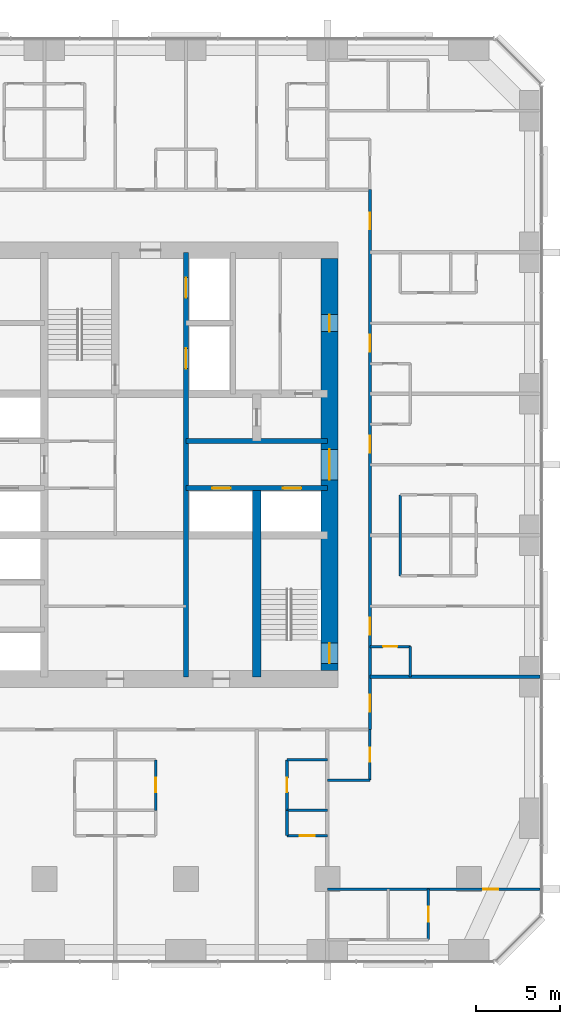
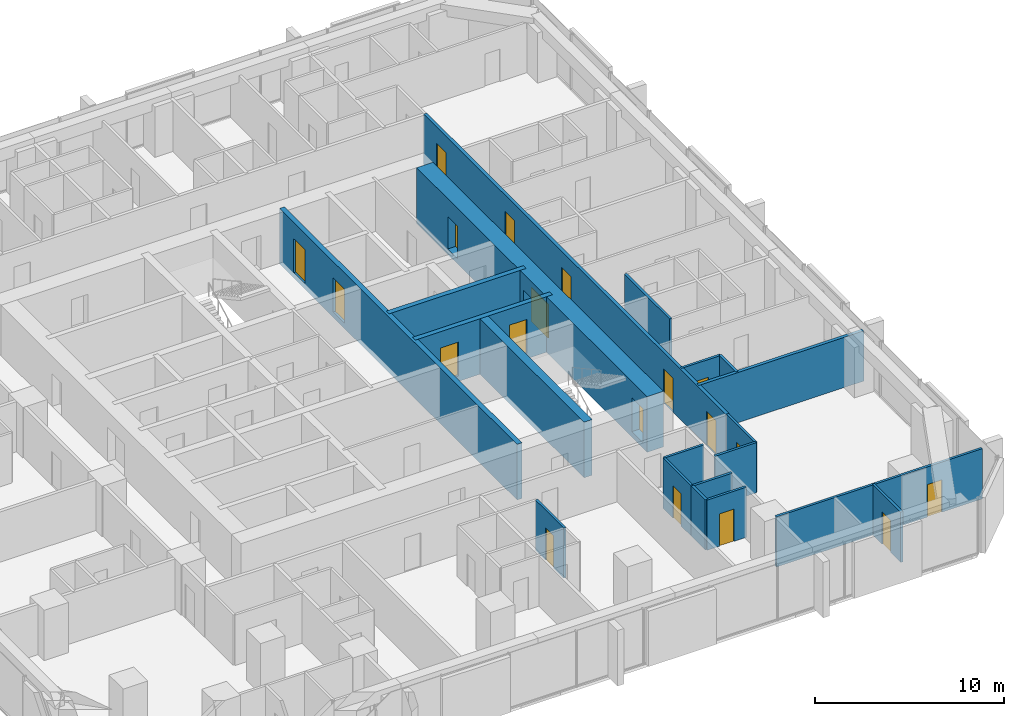
# One storey, part 10 of 14: 20 walls, 19 doors, 19 openings.
"""IFC4 building model written with IfcOpenShell, lengths in metres."""

from ifc_helpers import new_model, si_unit, direction, frame, frame_2d, origin, place, context, subcontext, project, spatial, rectangle, extrude, material, layer, layer_set, type_object, element, fill, save


model = new_model("IFC4")

# Units and contexts
model_context = context("Model", 3, precision=1e-05, world=origin(), true_north=direction((0.0, 1.0)))
body_context = subcontext(model_context, "Body", "Model", "MODEL_VIEW")
ifc_project = project(units=[si_unit("LENGTHUNIT", "METRE"), si_unit("AREAUNIT", "SQUARE_METRE"), si_unit("VOLUMEUNIT", "CUBIC_METRE"), si_unit("PLANEANGLEUNIT", "RADIAN"), si_unit("MASSUNIT", "GRAM", prefix="KILO")], contexts=[model_context])

# Site, building, storey
site_placement = place(None, origin())
site = spatial("IfcSite", under=ifc_project, at=site_placement, CompositionType="ELEMENT")
building_placement = place(site_placement, origin())
building = spatial("IfcBuilding", under=site, at=building_placement, Name="Dunama Terrace Hotel", CompositionType="ELEMENT")
storey_placement = place(building_placement, frame((0.0, 0.0, 122.39990234375)))
storey = spatial("IfcBuildingStorey", under=building, at=storey_placement, Name="L31", CompositionType="ELEMENT", Elevation=122.39990234375)

# Wall, opening, door
ifc_material_1 = material(Name="Gypsum board partition", Category="masonry")
ifc_layer_1 = layer(ifc_material_1, 0.14990234375)
ifc_layer_set_1 = layer_set([ifc_layer_1], Name="Bathroom partition 150")
wall_type_1 = type_object("IfcWallType", Name="Bathroom partition 150", PredefinedType="PARTITIONING", material=ifc_layer_set_1)
wall_1_placement = place(storey_placement, frame((31.800048828125, 8.875, 0.0), z_axis=(0.0, 0.0, 1.0), x_axis=(0.0, 1.0, 0.0)))
wall_1 = element("IfcWall", 1, at=wall_1_placement, inside=storey, type_object=wall_type_1, Name="Bathroom partition 150 L31", PredefinedType="PARTITIONING", context=body_context, shape_type="SweptSolid", body=[
    extrude(rectangle(XDim=3.0, YDim=0.14990234375, at=frame_2d((1.5, 0.0))), origin(), (0.0, 0.0, 1.0), 3.25),
])
opening_1_placement = place(wall_1_placement, frame((1.074951171875, 0.0, 0.0)))
opening_1 = element("IfcOpeningElement", 2, at=opening_1_placement, cuts=wall_1, Name="Opening L31-33-018", PredefinedType="OPENING", context=body_context, shape_type="SweptSolid", body=[
    extrude(rectangle(XDim=0.85009765625, YDim=2.10009765625, at=frame_2d((0.425048828125, 1.050048828125))), frame((0.0, 0.0849609375, 0.0), z_axis=(0.0, -1.0, 0.0), x_axis=(1.0, 0.0, 0.0)), (0.0, 0.0, 1.0), 0.169921875),
])
ifc_material_2 = material(Name="Timber door with steel frame", Category="steel")
door_type_1 = type_object("IfcDoorType", Name="Bathroom door 850", OperationType="SINGLE_SWING_LEFT", PredefinedType="DOOR", material=ifc_material_2)
door_1_placement = place(opening_1_placement, origin())
door_1 = element("IfcDoor", 3, at=door_1_placement, inside=storey, type_object=door_type_1, Name="Door to en-suite bathroom L31-33-018, type D2", OperationType="SINGLE_SWING_LEFT", OverallHeight=2.10009765625, OverallWidth=0.85009765625, PredefinedType="DOOR", context=body_context, shape_type="SweptSolid", body=[
    extrude(rectangle(XDim=0.85009765625, YDim=2.10009765625, at=frame_2d((0.425048828125, 1.050048828125))), frame((0.0, 0.02490234375, 0.0), z_axis=(0.0, -1.0, 0.0), x_axis=(1.0, 0.0, 0.0)), (0.0, 0.0, 1.0), 0.050048828125),
])
fill(opening_1, door_1)

wall_2_placement = place(storey_placement, frame((39.60009765625, 8.875, 0.0), z_axis=(0.0, 0.0, 1.0), x_axis=(0.0, 1.0, 0.0)))
wall_2 = element("IfcWall", 4, at=wall_2_placement, inside=storey, type_object=wall_type_1, Name="Bathroom partition 150 L31", PredefinedType="PARTITIONING", context=body_context, shape_type="SweptSolid", body=[
    extrude(rectangle(XDim=3.0, YDim=0.14990234375, at=frame_2d((1.5, 0.0))), origin(), (0.0, 0.0, 1.0), 3.25),
])
opening_2_placement = place(wall_2_placement, frame((1.074951171875, 0.0, 0.0)))
opening_2 = element("IfcOpeningElement", 5, at=opening_2_placement, cuts=wall_2, Name="Opening L31-33-021", PredefinedType="OPENING", context=body_context, shape_type="SweptSolid", body=[
    extrude(rectangle(XDim=0.85009765625, YDim=2.10009765625, at=frame_2d((0.425048828125, 1.050048828125))), frame((0.0, 0.0849609375, 0.0), z_axis=(0.0, -1.0, 0.0), x_axis=(1.0, 0.0, 0.0)), (0.0, 0.0, 1.0), 0.169921875),
])
door_2_placement = place(opening_2_placement, frame((0.85009765625, 0.0, 0.0), z_axis=(0.0, 0.0, 1.0), x_axis=(-1.0, 0.0, 0.0)))
door_2 = element("IfcDoor", 6, at=door_2_placement, inside=storey, type_object=door_type_1, Name="Door to en-suite bathroom L31-33-021, type D2", OperationType="SINGLE_SWING_RIGHT", OverallHeight=2.10009765625, OverallWidth=0.85009765625, PredefinedType="DOOR", context=body_context, shape_type="SweptSolid", body=[
    extrude(rectangle(XDim=0.85009765625, YDim=2.10009765625, at=frame_2d((0.425048828125, 1.050048828125))), frame((0.0, 0.025146484375, 0.0), z_axis=(0.0, -1.0, 0.0), x_axis=(1.0, 0.0, 0.0)), (0.0, 0.0, 1.0), 0.050048828125),
])
fill(opening_2, door_2)

wall_3_placement = place(storey_placement, frame((44.52490234375, 10.675048828125, 0.0), z_axis=(0.0, 0.0, 1.0), x_axis=(0.0, 1.0, 0.0)))
wall_3 = element("IfcWall", 7, at=wall_3_placement, inside=storey, type_object=wall_type_1, Name="Bathroom partition 150 L31", PredefinedType="PARTITIONING", context=body_context, shape_type="SweptSolid", body=[
    extrude(rectangle(XDim=3.0, YDim=0.14990234375, at=frame_2d((1.5, 0.0))), origin(), (0.0, 0.0, 1.0), 3.25),
])
opening_3_placement = place(wall_3_placement, frame((1.074951171875, 0.0, 0.0)))
opening_3 = element("IfcOpeningElement", 8, at=opening_3_placement, cuts=wall_3, Name="Opening L31-33-068", PredefinedType="OPENING", context=body_context, shape_type="SweptSolid", body=[
    extrude(rectangle(XDim=0.85009765625, YDim=2.10009765625, at=frame_2d((0.425048828125, 1.050048828125))), frame((0.0, 0.0849609375, 0.0), z_axis=(0.0, -1.0, 0.0), x_axis=(1.0, 0.0, 0.0)), (0.0, 0.0, 1.0), 0.169921875),
])
door_3_placement = place(opening_3_placement, origin())
door_3 = element("IfcDoor", 9, at=door_3_placement, inside=storey, type_object=door_type_1, Name="Door to powder room L31-33-068, type D2", OperationType="SINGLE_SWING_RIGHT", OverallHeight=2.10009765625, OverallWidth=0.85009765625, PredefinedType="DOOR", context=body_context, shape_type="SweptSolid", body=[
    extrude(rectangle(XDim=0.85009765625, YDim=2.10009765625, at=frame_2d((0.425048828125, 1.050048828125))), frame((0.0, 0.02490234375, 0.0), z_axis=(0.0, -1.0, 0.0), x_axis=(1.0, 0.0, 0.0)), (0.0, 0.0, 1.0), 0.050048828125),
])
fill(opening_3, door_3)

# Walls
wall_4_placement = place(storey_placement, frame((46.324951171875, 22.800048828125, 0.0), z_axis=(0.0, 0.0, 1.0), x_axis=(0.0, 1.0, 0.0)))
element("IfcWall", 10, at=wall_4_placement, inside=storey, type_object=wall_type_1, Name="Bathroom partition 150 L31", PredefinedType="PARTITIONING", context=body_context, shape_type="SweptSolid", body=[
    extrude(rectangle(XDim=4.800048828125, YDim=0.14990234375, at=frame_2d((2.39990234375, 0.0))), origin(), (0.0, 0.0, 1.0), 3.25),
])
wall_5_placement = place(storey_placement, frame((46.925048828125, 16.800048828125, 0.0), z_axis=(0.0, 0.0, 1.0), x_axis=(0.0, 1.0, 0.0)))
element("IfcWall", 11, at=wall_5_placement, inside=storey, type_object=wall_type_1, Name="Bathroom partition 150 L31", PredefinedType="PARTITIONING", context=body_context, shape_type="SweptSolid", body=[
    extrude(rectangle(XDim=1.800048828125, YDim=0.14990234375, at=frame_2d((0.89990234375, 0.0))), origin(), (0.0, 0.0, 1.0), 3.25),
])
wall_6_placement = place(storey_placement, frame((42.0, 10.675048828125, 0.0), z_axis=(0.0, 0.0, 1.0), x_axis=(1.0, 0.0, 0.0)))
element("IfcWall", 12, at=wall_6_placement, inside=storey, type_object=wall_type_1, Name="Bathroom partition 150 L31", PredefinedType="PARTITIONING", context=body_context, shape_type="SweptSolid", body=[
    extrude(rectangle(XDim=2.52490234375, YDim=0.14990234375, at=frame_2d((1.262451171875, 0.0))), origin(), (0.0, 0.0, 1.0), 3.25),
])
wall_7_placement = place(storey_placement, frame((39.60009765625, 11.875, 0.0), z_axis=(0.0, 0.0, 1.0), x_axis=(1.0, 0.0, 0.0)))
element("IfcWall", 13, at=wall_7_placement, inside=storey, type_object=wall_type_1, Name="Bathroom partition 150 L31", PredefinedType="PARTITIONING", context=body_context, shape_type="SweptSolid", body=[
    extrude(rectangle(XDim=2.39990234375, YDim=0.14990234375, at=frame_2d((1.199951171875, 0.0))), origin(), (0.0, 0.0, 1.0), 3.25),
])

# Wall, opening, door
wall_8_placement = place(storey_placement, frame((44.52490234375, 18.60009765625, 0.0), z_axis=(0.0, 0.0, 1.0), x_axis=(1.0, 0.0, 0.0)))
wall_8 = element("IfcWall", 14, at=wall_8_placement, inside=storey, type_object=wall_type_1, Name="Bathroom partition 150 L31", PredefinedType="PARTITIONING", context=body_context, shape_type="SweptSolid", body=[
    extrude(rectangle(XDim=2.400146484375, YDim=0.14990234375, at=frame_2d((1.2001953125, 0.0))), origin(), (0.0, 0.0, 1.0), 3.25),
])
opening_4_placement = place(wall_8_placement, frame((0.77490234375, 0.0, 0.0)))
opening_4 = element("IfcOpeningElement", 15, at=opening_4_placement, cuts=wall_8, Name="Opening L31-33-024", PredefinedType="OPENING", context=body_context, shape_type="SweptSolid", body=[
    extrude(rectangle(XDim=0.85009765625, YDim=2.10009765625, at=frame_2d((0.425048828125, 1.050048828125))), frame((0.0, 0.0849609375, 0.0), z_axis=(0.0, -1.0, 0.0), x_axis=(1.0, 0.0, 0.0)), (0.0, 0.0, 1.0), 0.169921875),
])
door_4_placement = place(opening_4_placement, frame((0.85009765625, 0.0, 0.0), z_axis=(0.0, 0.0, 1.0), x_axis=(-1.0, 0.0, 0.0)))
door_4 = element("IfcDoor", 16, at=door_4_placement, inside=storey, type_object=door_type_1, Name="Door to powder room L31-33-024, type D2", OperationType="SINGLE_SWING_RIGHT", OverallHeight=2.10009765625, OverallWidth=0.85009765625, PredefinedType="DOOR", context=body_context, shape_type="SweptSolid", body=[
    extrude(rectangle(XDim=0.85009765625, YDim=2.10009765625, at=frame_2d((0.425048828125, 1.050048828125))), frame((0.0, 0.025146484375, 0.0), z_axis=(0.0, -1.0, 0.0), x_axis=(1.0, 0.0, 0.0)), (0.0, 0.0, 1.0), 0.050048828125),
])
fill(opening_4, door_4)

# Wall, openings, doors
ifc_material_3 = material(Name="Concrete C50/60", Category="concrete")
ifc_layer_2 = layer(ifc_material_3, 0.300048828125)
ifc_layer_set_2 = layer_set([ifc_layer_2], Name="Core inner wall 300")
wall_type_2 = type_object("IfcWallType", Name="Core inner wall 300", PredefinedType="SHEAR", material=ifc_layer_set_2)
wall_9_placement = place(storey_placement, frame((33.60009765625, 16.800048828125, -0.349853515625), z_axis=(0.0, 0.0, 1.0), x_axis=(0.0, 1.0, 0.0)))
wall_9 = element("IfcWall", 17, at=wall_9_placement, inside=storey, type_object=wall_type_2, Name="Core inner wall 300 L31", PredefinedType="SHEAR", context=body_context, shape_type="SweptSolid", body=[
    extrude(rectangle(XDim=25.199951171875, YDim=0.300048828125, at=frame_2d((12.60009765625, 0.0))), origin(), (0.0, 0.0, 1.0), 3.599853515625),
])
opening_5_placement = place(wall_9_placement, frame((22.5, 0.0, 0.35009765625)))
opening_5 = element("IfcOpeningElement", 18, at=opening_5_placement, cuts=wall_9, Name="Opening L31-33-009", PredefinedType="OPENING", context=body_context, shape_type="SweptSolid", body=[
    extrude(rectangle(XDim=1.199951171875, YDim=2.199951171875, at=frame_2d((0.60009765625, 1.10009765625))), frame((0.0, 0.159912109375, 0.0), z_axis=(0.0, -1.0, 0.0), x_axis=(1.0, 0.0, 0.0)), (0.0, 0.0, 1.0), 0.320068359375),
])
opening_6_placement = place(wall_9_placement, frame((18.300048828125, 0.0, 0.35009765625)))
opening_6 = element("IfcOpeningElement", 19, at=opening_6_placement, cuts=wall_9, Name="Opening L31-33-010", PredefinedType="OPENING", context=body_context, shape_type="SweptSolid", body=[
    extrude(rectangle(XDim=1.199951171875, YDim=2.199951171875, at=frame_2d((0.60009765625, 1.10009765625))), frame((0.0, 0.159912109375, 0.0), z_axis=(0.0, -1.0, 0.0), x_axis=(1.0, 0.0, 0.0)), (0.0, 0.0, 1.0), 0.320068359375),
])
ifc_material_4 = material(Name="Stainless steel lift door", Category="steel")
door_type_2 = type_object("IfcDoorType", Name="Firefighting lift landing door 1200", OperationType="DOUBLE_DOOR_SLIDING", PredefinedType="DOOR", material=ifc_material_4)
door_5_placement = place(opening_5_placement, origin())
door_5 = element("IfcDoor", 20, at=door_5_placement, inside=storey, type_object=door_type_2, Name="Landing door FL1 L31-33-009, type LD2", OperationType="DOUBLE_DOOR_SLIDING", OverallHeight=2.199951171875, OverallWidth=1.199951171875, PredefinedType="DOOR", context=body_context, shape_type="SweptSolid", body=[
    extrude(rectangle(XDim=1.199951171875, YDim=2.199951171875, at=frame_2d((0.60009765625, 1.10009765625))), frame((0.0, 0.02490234375, 0.0), z_axis=(0.0, -1.0, 0.0), x_axis=(1.0, 0.0, 0.0)), (0.0, 0.0, 1.0), 0.050048828125),
])
fill(opening_5, door_5)
door_6_placement = place(opening_6_placement, origin())
door_6 = element("IfcDoor", 21, at=door_6_placement, inside=storey, type_object=door_type_2, Name="Landing door FL2 L31-33-010, type LD2", OperationType="DOUBLE_DOOR_SLIDING", OverallHeight=2.199951171875, OverallWidth=1.199951171875, PredefinedType="DOOR", context=body_context, shape_type="SweptSolid", body=[
    extrude(rectangle(XDim=1.199951171875, YDim=2.199951171875, at=frame_2d((0.60009765625, 1.10009765625))), frame((0.0, 0.02490234375, 0.0), z_axis=(0.0, -1.0, 0.0), x_axis=(1.0, 0.0, 0.0)), (0.0, 0.0, 1.0), 0.050048828125),
])
fill(opening_6, door_6)

wall_10_placement = place(storey_placement, frame((33.60009765625, 28.0, -0.349853515625), z_axis=(0.0, 0.0, 1.0), x_axis=(1.0, 0.0, 0.0)))
wall_10 = element("IfcWall", 22, at=wall_10_placement, inside=storey, type_object=wall_type_2, Name="Core inner wall 300 L31", PredefinedType="SHEAR", context=body_context, shape_type="SweptSolid", body=[
    extrude(rectangle(XDim=8.39990234375, YDim=0.300048828125, at=frame_2d((4.199951171875, 0.0))), origin(), (0.0, 0.0, 1.0), 3.599853515625),
])
opening_7_placement = place(wall_10_placement, frame((1.550048828125, 0.0, 0.35009765625)))
opening_7 = element("IfcOpeningElement", 23, at=opening_7_placement, cuts=wall_10, Name="Opening L31-33-003", PredefinedType="OPENING", context=body_context, shape_type="SweptSolid", body=[
    extrude(rectangle(XDim=1.10009765625, YDim=2.199951171875, at=frame_2d((0.550048828125, 1.10009765625))), frame((0.0, 0.159912109375, 0.0), z_axis=(0.0, -1.0, 0.0), x_axis=(1.0, 0.0, 0.0)), (0.0, 0.0, 1.0), 0.320068359375),
])
opening_8_placement = place(wall_10_placement, frame((5.75, 0.0, 0.35009765625)))
opening_8 = element("IfcOpeningElement", 24, at=opening_8_placement, cuts=wall_10, Name="Opening L31-33-004", PredefinedType="OPENING", context=body_context, shape_type="SweptSolid", body=[
    extrude(rectangle(XDim=1.10009765625, YDim=2.199951171875, at=frame_2d((0.550048828125, 1.10009765625))), frame((0.0, 0.159912109375, 0.0), z_axis=(0.0, -1.0, 0.0), x_axis=(1.0, 0.0, 0.0)), (0.0, 0.0, 1.0), 0.320068359375),
])
ifc_material_5 = material(Name="Stainless steel lift door", Category="steel")
door_type_3 = type_object("IfcDoorType", Name="Lift landing door 1100", OperationType="DOUBLE_DOOR_SLIDING", PredefinedType="DOOR", material=ifc_material_5)
door_7_placement = place(opening_7_placement, origin())
door_7 = element("IfcDoor", 25, at=door_7_placement, inside=storey, type_object=door_type_3, Name="Landing door PB1 L31-33-003, type LD1", OperationType="DOUBLE_DOOR_SLIDING", OverallHeight=2.199951171875, OverallWidth=1.10009765625, PredefinedType="DOOR", context=body_context, shape_type="SweptSolid", body=[
    extrude(rectangle(XDim=1.10009765625, YDim=2.199951171875, at=frame_2d((0.550048828125, 1.10009765625))), frame((0.0, 0.02490234375, 0.0), z_axis=(0.0, -1.0, 0.0), x_axis=(1.0, 0.0, 0.0)), (0.0, 0.0, 1.0), 0.050048828125),
])
fill(opening_7, door_7)
door_8_placement = place(opening_8_placement, origin())
door_8 = element("IfcDoor", 26, at=door_8_placement, inside=storey, type_object=door_type_3, Name="Landing door PB2 L31-33-004, type LD1", OperationType="DOUBLE_DOOR_SLIDING", OverallHeight=2.199951171875, OverallWidth=1.10009765625, PredefinedType="DOOR", context=body_context, shape_type="SweptSolid", body=[
    extrude(rectangle(XDim=1.10009765625, YDim=2.199951171875, at=frame_2d((0.550048828125, 1.10009765625))), frame((0.0, 0.02490234375, 0.0), z_axis=(0.0, -1.0, 0.0), x_axis=(1.0, 0.0, 0.0)), (0.0, 0.0, 1.0), 0.050048828125),
])
fill(opening_8, door_8)

# Walls
wall_11_placement = place(storey_placement, frame((33.60009765625, 30.800048828125, -0.349853515625), z_axis=(0.0, 0.0, 1.0), x_axis=(1.0, 0.0, 0.0)))
element("IfcWall", 27, at=wall_11_placement, inside=storey, type_object=wall_type_2, Name="Core inner wall 300 L31", PredefinedType="SHEAR", context=body_context, shape_type="SweptSolid", body=[
    extrude(rectangle(XDim=8.39990234375, YDim=0.300048828125, at=frame_2d((4.199951171875, 0.0))), origin(), (0.0, 0.0, 1.0), 3.599853515625),
])
ifc_material_6 = material(Name="Concrete C50/60", Category="concrete")
ifc_layer_3 = layer(ifc_material_6, 0.5)
ifc_layer_set_3 = layer_set([ifc_layer_3], Name="Core inner wall 500")
wall_type_3 = type_object("IfcWallType", Name="Core inner wall 500", PredefinedType="SHEAR", material=ifc_layer_set_3)
wall_12_placement = place(storey_placement, frame((37.800048828125, 16.800048828125, -0.349853515625), z_axis=(0.0, 0.0, 1.0), x_axis=(0.0, 1.0, 0.0)))
element("IfcWall", 28, at=wall_12_placement, inside=storey, type_object=wall_type_3, Name="Core inner wall 500 L31", PredefinedType="SHEAR", context=body_context, shape_type="SweptSolid", body=[
    extrude(rectangle(XDim=11.199951171875, YDim=0.5, at=frame_2d((5.60009765625, 0.0))), origin(), (0.0, 0.0, 1.0), 3.599853515625),
])

# Wall, openings, doors
ifc_material_7 = material(Name="Concrete C60/75", Category="concrete")
ifc_layer_4 = layer(ifc_material_7, 1.0)
ifc_layer_set_4 = layer_set([ifc_layer_4], Name="Core wall 1000")
wall_type_4 = type_object("IfcWallType", Name="Core wall 1000", PredefinedType="SHEAR", material=ifc_layer_set_4)
wall_13_placement = place(storey_placement, frame((42.125, 17.175048828125, -0.349853515625), z_axis=(0.0, 0.0, 1.0), x_axis=(0.0, 1.0, 0.0)))
wall_13 = element("IfcWall", 29, at=wall_13_placement, inside=storey, type_object=wall_type_4, Name="Core wall east L31", PredefinedType="SHEAR", context=body_context, shape_type="SweptSolid", body=[
    extrude(rectangle(XDim=24.449951171875, YDim=1.0, at=frame_2d((12.22509765625, 0.0))), origin(), (0.0, 0.0, 1.0), 3.599853515625),
])
opening_9_placement = place(wall_13_placement, frame((0.425048828125, 0.0, 0.35009765625)))
opening_9 = element("IfcOpeningElement", 30, at=opening_9_placement, cuts=wall_13, Name="Opening L31-33-002", PredefinedType="OPENING", context=body_context, shape_type="SweptSolid", body=[
    extrude(rectangle(XDim=1.199951171875, YDim=2.199951171875, at=frame_2d((0.60009765625, 1.10009765625))), frame((0.0, 0.510009765625, 0.0), z_axis=(0.0, -1.0, 0.0), x_axis=(1.0, 0.0, 0.0)), (0.0, 0.0, 1.0), 1.02001953125),
])
opening_10_placement = place(wall_13_placement, frame((11.324951171875, 0.0, 0.35009765625)))
opening_10 = element("IfcOpeningElement", 31, at=opening_10_placement, cuts=wall_13, Name="Opening L31-33-092", PredefinedType="OPENING", context=body_context, shape_type="SweptSolid", body=[
    extrude(rectangle(XDim=1.800048828125, YDim=2.199951171875, at=frame_2d((0.89990234375, 1.10009765625))), frame((0.0, 0.510009765625, 0.0), z_axis=(0.0, -1.0, 0.0), x_axis=(1.0, 0.0, 0.0)), (0.0, 0.0, 1.0), 1.02001953125),
])
opening_11_placement = place(wall_13_placement, frame((20.125, 0.0, 0.35009765625)))
opening_11 = element("IfcOpeningElement", 32, at=opening_11_placement, cuts=wall_13, Name="Opening L31-33-094", PredefinedType="OPENING", context=body_context, shape_type="SweptSolid", body=[
    extrude(rectangle(XDim=1.0, YDim=2.10009765625, at=frame_2d((0.5, 1.050048828125))), frame((0.0, 0.510009765625, 0.0), z_axis=(0.0, -1.0, 0.0), x_axis=(1.0, 0.0, 0.0)), (0.0, 0.0, 1.0), 1.02001953125),
])
ifc_material_8 = material(Name="Timber door with steel frame", Category="steel")
door_type_4 = type_object("IfcDoorType", Name="Lift lobby double door 1800", OperationType="DOUBLE_DOOR_DOUBLE_SWING", PredefinedType="DOOR", material=ifc_material_8)
door_9_placement = place(opening_10_placement, origin())
door_9 = element("IfcDoor", 33, at=door_9_placement, inside=storey, type_object=door_type_4, Name="Door to lift lobby L31-33-092, type D3", OperationType="DOUBLE_DOOR_DOUBLE_SWING", OverallHeight=2.199951171875, OverallWidth=1.800048828125, PredefinedType="DOOR", context=body_context, shape_type="SweptSolid", body=[
    extrude(rectangle(XDim=1.800048828125, YDim=2.199951171875, at=frame_2d((0.89990234375, 1.10009765625))), frame((0.0, 0.02490234375, 0.0), z_axis=(0.0, -1.0, 0.0), x_axis=(1.0, 0.0, 0.0)), (0.0, 0.0, 1.0), 0.050048828125),
])
fill(opening_10, door_9)
ifc_material_9 = material(Name="Timber door with steel frame", Category="steel")
door_type_5 = type_object("IfcDoorType", Name="Service door 1000", OperationType="SINGLE_SWING_LEFT", PredefinedType="DOOR", material=ifc_material_9)
door_10_placement = place(opening_11_placement, origin())
door_10 = element("IfcDoor", 34, at=door_10_placement, inside=storey, type_object=door_type_5, Name="Door to linen store L31-33-094, type D7", OperationType="SINGLE_SWING_LEFT", OverallHeight=2.10009765625, OverallWidth=1.0, PredefinedType="DOOR", context=body_context, shape_type="SweptSolid", body=[
    extrude(rectangle(XDim=1.0, YDim=2.10009765625, at=frame_2d((0.5, 1.050048828125))), frame((0.0, 0.02490234375, 0.0), z_axis=(0.0, -1.0, 0.0), x_axis=(1.0, 0.0, 0.0)), (0.0, 0.0, 1.0), 0.050048828125),
])
fill(opening_11, door_10)
ifc_material_10 = material(Name="Timber door with steel frame", Category="steel")
door_type_6 = type_object("IfcDoorType", Name="Stair door 1200", OperationType="SINGLE_SWING_LEFT", PredefinedType="DOOR", material=ifc_material_10)
door_11_placement = place(opening_9_placement, origin())
door_11 = element("IfcDoor", 35, at=door_11_placement, inside=storey, type_object=door_type_6, Name="Stair door ST2 L31-33-002, type D5", OperationType="SINGLE_SWING_LEFT", OverallHeight=2.199951171875, OverallWidth=1.199951171875, PredefinedType="DOOR", context=body_context, shape_type="SweptSolid", body=[
    extrude(rectangle(XDim=1.199951171875, YDim=2.199951171875, at=frame_2d((0.60009765625, 1.10009765625))), frame((0.0, 0.02490234375, 0.0), z_axis=(0.0, -1.0, 0.0), x_axis=(1.0, 0.0, 0.0)), (0.0, 0.0, 1.0), 0.050048828125),
])
fill(opening_9, door_11)

ifc_material_11 = material(Name="Concrete blockwork", Category="masonry")
ifc_layer_5 = layer(ifc_material_11, 0.199951171875)
ifc_layer_set_5 = layer_set([ifc_layer_5], Name="Corridor partition 200")
wall_type_5 = type_object("IfcWallType", Name="Corridor partition 200", PredefinedType="PARTITIONING", material=ifc_layer_set_5)
wall_14_placement = place(storey_placement, frame((44.52490234375, 45.72509765625, 0.0), z_axis=(0.0, 0.0, 1.0), x_axis=(0.0, -1.0, 0.0)))
wall_14 = element("IfcWall", 36, at=wall_14_placement, inside=storey, type_object=wall_type_5, Name="Corridor partition 200 L31", PredefinedType="PARTITIONING", context=body_context, shape_type="SweptSolid", body=[
    extrude(rectangle(XDim=32.050048828125, YDim=0.199951171875, at=frame_2d((16.02490234375, 0.0))), origin(), (0.0, 0.0, 1.0), 3.25),
])
opening_12_placement = place(wall_14_placement, frame((25.425048828125, 0.0, 0.0)))
opening_12 = element("IfcOpeningElement", 37, at=opening_12_placement, cuts=wall_14, Name="Opening L31-33-023", PredefinedType="OPENING", context=body_context, shape_type="SweptSolid", body=[
    extrude(rectangle(XDim=1.0, YDim=2.199951171875, at=frame_2d((0.5, 1.10009765625))), frame((0.0, 0.10986328125, 0.0), z_axis=(0.0, -1.0, 0.0), x_axis=(1.0, 0.0, 0.0)), (0.0, 0.0, 1.0), 0.219970703125),
])
opening_13_placement = place(wall_14_placement, frame((14.625, 0.0, 0.0)))
opening_13 = element("IfcOpeningElement", 38, at=opening_13_placement, cuts=wall_14, Name="Opening L31-33-028", PredefinedType="OPENING", context=body_context, shape_type="SweptSolid", body=[
    extrude(rectangle(XDim=1.0, YDim=2.199951171875, at=frame_2d((0.5, 1.10009765625))), frame((0.0, 0.10986328125, 0.0), z_axis=(0.0, -1.0, 0.0), x_axis=(1.0, 0.0, 0.0)), (0.0, 0.0, 1.0), 0.219970703125),
])
opening_14_placement = place(wall_14_placement, frame((8.625, 0.0, 0.0)))
opening_14 = element("IfcOpeningElement", 39, at=opening_14_placement, cuts=wall_14, Name="Opening L31-33-033", PredefinedType="OPENING", context=body_context, shape_type="SweptSolid", body=[
    extrude(rectangle(XDim=1.0, YDim=2.199951171875, at=frame_2d((0.5, 1.10009765625))), frame((0.0, 0.10986328125, 0.0), z_axis=(0.0, -1.0, 0.0), x_axis=(1.0, 0.0, 0.0)), (0.0, 0.0, 1.0), 0.219970703125),
])
opening_15_placement = place(wall_14_placement, frame((29.987060546875, 0.0, 0.0)))
opening_15 = element("IfcOpeningElement", 40, at=opening_15_placement, cuts=wall_14, Name="Opening L31-33-067", PredefinedType="OPENING", context=body_context, shape_type="SweptSolid", body=[
    extrude(rectangle(XDim=1.0, YDim=2.199951171875, at=frame_2d((0.5, 1.10009765625))), frame((0.0, 0.10986328125, 0.0), z_axis=(0.0, -1.0, 0.0), x_axis=(1.0, 0.0, 0.0)), (0.0, 0.0, 1.0), 0.219970703125),
])
opening_16_placement = place(wall_14_placement, frame((1.363037109375, 0.0, 0.0)))
opening_16 = element("IfcOpeningElement", 41, at=opening_16_placement, cuts=wall_14, Name="Opening L31-33-072", PredefinedType="OPENING", context=body_context, shape_type="SweptSolid", body=[
    extrude(rectangle(XDim=1.0, YDim=2.199951171875, at=frame_2d((0.5, 1.10009765625))), frame((0.0, 0.10986328125, 0.0), z_axis=(0.0, -1.0, 0.0), x_axis=(1.0, 0.0, 0.0)), (0.0, 0.0, 1.0), 0.219970703125),
])
ifc_material_12 = material(Name="Timber door with steel frame", Category="steel")
door_type_7 = type_object("IfcDoorType", Name="Guest room door 1000", OperationType="SINGLE_SWING_LEFT", PredefinedType="DOOR", material=ifc_material_12)
door_12_placement = place(opening_12_placement, origin())
door_12 = element("IfcDoor", 42, at=door_12_placement, inside=storey, type_object=door_type_7, Name="Door to executive suite living room L31-33-023, type D1", OperationType="SINGLE_SWING_LEFT", OverallHeight=2.199951171875, OverallWidth=1.0, PredefinedType="DOOR", context=body_context, shape_type="SweptSolid", body=[
    extrude(rectangle(XDim=1.0, YDim=2.199951171875, at=frame_2d((0.5, 1.10009765625))), frame((0.0, 0.02490234375, 0.0), z_axis=(0.0, -1.0, 0.0), x_axis=(1.0, 0.0, 0.0)), (0.0, 0.0, 1.0), 0.050048828125),
])
fill(opening_12, door_12)
door_13_placement = place(opening_13_placement, origin())
door_13 = element("IfcDoor", 43, at=door_13_placement, inside=storey, type_object=door_type_7, Name="Door to executive suite living room L31-33-028, type D1", OperationType="SINGLE_SWING_LEFT", OverallHeight=2.199951171875, OverallWidth=1.0, PredefinedType="DOOR", context=body_context, shape_type="SweptSolid", body=[
    extrude(rectangle(XDim=1.0, YDim=2.199951171875, at=frame_2d((0.5, 1.10009765625))), frame((0.0, 0.02490234375, 0.0), z_axis=(0.0, -1.0, 0.0), x_axis=(1.0, 0.0, 0.0)), (0.0, 0.0, 1.0), 0.050048828125),
])
fill(opening_13, door_13)
door_14_placement = place(opening_14_placement, origin())
door_14 = element("IfcDoor", 44, at=door_14_placement, inside=storey, type_object=door_type_7, Name="Door to executive suite living room L31-33-033, type D1", OperationType="SINGLE_SWING_LEFT", OverallHeight=2.199951171875, OverallWidth=1.0, PredefinedType="DOOR", context=body_context, shape_type="SweptSolid", body=[
    extrude(rectangle(XDim=1.0, YDim=2.199951171875, at=frame_2d((0.5, 1.10009765625))), frame((0.0, 0.02490234375, 0.0), z_axis=(0.0, -1.0, 0.0), x_axis=(1.0, 0.0, 0.0)), (0.0, 0.0, 1.0), 0.050048828125),
])
fill(opening_14, door_14)
door_15_placement = place(opening_15_placement, origin())
door_15 = element("IfcDoor", 45, at=door_15_placement, inside=storey, type_object=door_type_7, Name="Door to corner suite living room L31-33-067, type D1", OperationType="SINGLE_SWING_LEFT", OverallHeight=2.199951171875, OverallWidth=1.0, PredefinedType="DOOR", context=body_context, shape_type="SweptSolid", body=[
    extrude(rectangle(XDim=1.0, YDim=2.199951171875, at=frame_2d((0.5, 1.10009765625))), frame((0.0, 0.02490234375, 0.0), z_axis=(0.0, -1.0, 0.0), x_axis=(1.0, 0.0, 0.0)), (0.0, 0.0, 1.0), 0.050048828125),
])
fill(opening_15, door_15)
door_16_placement = place(opening_16_placement, origin())
door_16 = element("IfcDoor", 46, at=door_16_placement, inside=storey, type_object=door_type_7, Name="Door to corner suite living room L31-33-072, type D1", OperationType="SINGLE_SWING_RIGHT", OverallHeight=2.199951171875, OverallWidth=1.0, PredefinedType="DOOR", context=body_context, shape_type="SweptSolid", body=[
    extrude(rectangle(XDim=1.0, YDim=2.199951171875, at=frame_2d((0.5, 1.10009765625))), frame((0.0, 0.02490234375, 0.0), z_axis=(0.0, -1.0, 0.0), x_axis=(1.0, 0.0, 0.0)), (0.0, 0.0, 1.0), 0.050048828125),
])
fill(opening_16, door_16)

# Walls
ifc_material_13 = material(Name="Concrete blockwork", Category="masonry")
ifc_layer_6 = layer(ifc_material_13, 0.199951171875)
ifc_layer_set_6 = layer_set([ifc_layer_6], Name="Party wall 200")
wall_type_6 = type_object("IfcWallType", Name="Party wall 200", PredefinedType="PARTITIONING", material=ifc_layer_set_6)
wall_15_placement = place(storey_placement, frame((44.52490234375, 16.800048828125, 0.0), z_axis=(0.0, 0.0, 1.0), x_axis=(1.0, 0.0, 0.0)))
element("IfcWall", 47, at=wall_15_placement, inside=storey, type_object=wall_type_6, Name="Party wall 200 L31", PredefinedType="PARTITIONING", context=body_context, shape_type="SweptSolid", body=[
    extrude(rectangle(XDim=10.093017578125, YDim=0.199951171875, at=frame_2d((5.04638671875, 0.0))), origin(), (0.0, 0.0, 1.0), 3.25),
])
ifc_material_14 = material(Name="Gypsum board partition", Category="masonry")
ifc_layer_7 = layer(ifc_material_14, 0.14990234375)
ifc_layer_set_7 = layer_set([ifc_layer_7], Name="Room partition 150")
wall_type_7 = type_object("IfcWallType", Name="Room partition 150", PredefinedType="PARTITIONING", material=ifc_layer_set_7)
wall_16_placement = place(storey_placement, frame((39.60009765625, 7.375, 0.0), z_axis=(0.0, 0.0, 1.0), x_axis=(0.0, 1.0, 0.0)))
element("IfcWall", 48, at=wall_16_placement, inside=storey, type_object=wall_type_7, Name="Room partition 150 L31", PredefinedType="PARTITIONING", context=body_context, shape_type="SweptSolid", body=[
    extrude(rectangle(XDim=1.5, YDim=0.14990234375, at=frame_2d((0.75, 0.0))), origin(), (0.0, 0.0, 1.0), 3.25),
])

# Wall, opening, door
wall_17_placement = place(storey_placement, frame((48.0, 1.199951171875, 0.0), z_axis=(0.0, 0.0, 1.0), x_axis=(0.0, 1.0, 0.0)))
wall_17 = element("IfcWall", 49, at=wall_17_placement, inside=storey, type_object=wall_type_7, Name="Room partition 150 L31", PredefinedType="PARTITIONING", context=body_context, shape_type="SweptSolid", body=[
    extrude(rectangle(XDim=3.0, YDim=0.14990234375, at=frame_2d((1.5, 0.0))), origin(), (0.0, 0.0, 1.0), 3.25),
])
opening_17_placement = place(wall_17_placement, frame((1.050048828125, 0.0, 0.0)))
opening_17 = element("IfcOpeningElement", 50, at=opening_17_placement, cuts=wall_17, Name="Opening L31-33-071", PredefinedType="OPENING", context=body_context, shape_type="SweptSolid", body=[
    extrude(rectangle(XDim=0.89990234375, YDim=2.10009765625, at=frame_2d((0.449951171875, 1.050048828125))), frame((0.0, 0.0849609375, 0.0), z_axis=(0.0, -1.0, 0.0), x_axis=(1.0, 0.0, 0.0)), (0.0, 0.0, 1.0), 0.169921875),
])
ifc_material_15 = material(Name="Timber door with steel frame", Category="steel")
door_type_8 = type_object("IfcDoorType", Name="Suite internal door 900", OperationType="SINGLE_SWING_LEFT", PredefinedType="DOOR", material=ifc_material_15)
door_17_placement = place(opening_17_placement, origin())
door_17 = element("IfcDoor", 51, at=door_17_placement, inside=storey, type_object=door_type_8, Name="Door to dressing room L31-33-071, type D16", OperationType="SINGLE_SWING_LEFT", OverallHeight=2.10009765625, OverallWidth=0.89990234375, PredefinedType="DOOR", context=body_context, shape_type="SweptSolid", body=[
    extrude(rectangle(XDim=0.89990234375, YDim=2.10009765625, at=frame_2d((0.449951171875, 1.050048828125))), frame((0.0, 0.02490234375, 0.0), z_axis=(0.0, -1.0, 0.0), x_axis=(1.0, 0.0, 0.0)), (0.0, 0.0, 1.0), 0.050048828125),
])
fill(opening_17, door_17)

wall_18_placement = place(storey_placement, frame((42.0, 4.199951171875, 0.0), z_axis=(0.0, 0.0, 1.0), x_axis=(1.0, 0.0, 0.0)))
wall_18 = element("IfcWall", 52, at=wall_18_placement, inside=storey, type_object=wall_type_7, Name="Room partition 150 L31", PredefinedType="PARTITIONING", context=body_context, shape_type="SweptSolid", body=[
    extrude(rectangle(XDim=12.617919921875, YDim=0.14990234375, at=frame_2d((6.30908203125, 0.0))), origin(), (0.0, 0.0, 1.0), 3.25),
])
opening_18_placement = place(wall_18_placement, frame((9.25, 0.0, 0.0)))
opening_18 = element("IfcOpeningElement", 53, at=opening_18_placement, cuts=wall_18, Name="Opening L31-33-069", PredefinedType="OPENING", context=body_context, shape_type="SweptSolid", body=[
    extrude(rectangle(XDim=0.89990234375, YDim=2.10009765625, at=frame_2d((0.449951171875, 1.050048828125))), frame((0.0, 0.0849609375, 0.0), z_axis=(0.0, -1.0, 0.0), x_axis=(1.0, 0.0, 0.0)), (0.0, 0.0, 1.0), 0.169921875),
])
door_18_placement = place(opening_18_placement, frame((0.89990234375, 0.0, 0.0), z_axis=(0.0, 0.0, 1.0), x_axis=(-1.0, 0.0, 0.0)))
door_18 = element("IfcDoor", 54, at=door_18_placement, inside=storey, type_object=door_type_8, Name="Door to corner suite bedroom L31-33-069, type D16", OperationType="SINGLE_SWING_RIGHT", OverallHeight=2.10009765625, OverallWidth=0.89990234375, PredefinedType="DOOR", context=body_context, shape_type="SweptSolid", body=[
    extrude(rectangle(XDim=0.89990234375, YDim=2.10009765625, at=frame_2d((0.449951171875, 1.050048828125))), frame((0.0, 0.025146484375, 0.0), z_axis=(0.0, -1.0, 0.0), x_axis=(1.0, 0.0, 0.0)), (0.0, 0.0, 1.0), 0.050048828125),
])
fill(opening_18, door_18)

wall_19_placement = place(storey_placement, frame((39.60009765625, 7.375, 0.0), z_axis=(0.0, 0.0, 1.0), x_axis=(1.0, 0.0, 0.0)))
wall_19 = element("IfcWall", 55, at=wall_19_placement, inside=storey, type_object=wall_type_7, Name="Room partition 150 L31", PredefinedType="PARTITIONING", context=body_context, shape_type="SweptSolid", body=[
    extrude(rectangle(XDim=2.39990234375, YDim=0.14990234375, at=frame_2d((1.199951171875, 0.0))), origin(), (0.0, 0.0, 1.0), 3.25),
])
opening_19_placement = place(wall_19_placement, frame((0.75, 0.0, 0.0)))
opening_19 = element("IfcOpeningElement", 56, at=opening_19_placement, cuts=wall_19, Name="Opening L31-33-022", PredefinedType="OPENING", context=body_context, shape_type="SweptSolid", body=[
    extrude(rectangle(XDim=0.89990234375, YDim=2.10009765625, at=frame_2d((0.449951171875, 1.050048828125))), frame((0.0, 0.0849609375, 0.0), z_axis=(0.0, -1.0, 0.0), x_axis=(1.0, 0.0, 0.0)), (0.0, 0.0, 1.0), 0.169921875),
])
door_19_placement = place(opening_19_placement, origin())
door_19 = element("IfcDoor", 57, at=door_19_placement, inside=storey, type_object=door_type_8, Name="Door to walk-in wardrobe L31-33-022, type D16", OperationType="SINGLE_SWING_LEFT", OverallHeight=2.10009765625, OverallWidth=0.89990234375, PredefinedType="DOOR", context=body_context, shape_type="SweptSolid", body=[
    extrude(rectangle(XDim=0.89990234375, YDim=2.10009765625, at=frame_2d((0.449951171875, 1.050048828125))), frame((0.0, 0.02490234375, 0.0), z_axis=(0.0, -1.0, 0.0), x_axis=(1.0, 0.0, 0.0)), (0.0, 0.0, 1.0), 0.050048828125),
])
fill(opening_19, door_19)

# Wall
wall_20_placement = place(storey_placement, frame((39.60009765625, 8.875, 0.0), z_axis=(0.0, 0.0, 1.0), x_axis=(1.0, 0.0, 0.0)))
element("IfcWall", 58, at=wall_20_placement, inside=storey, type_object=wall_type_7, Name="Room partition 150 L31", PredefinedType="PARTITIONING", context=body_context, shape_type="SweptSolid", body=[
    extrude(rectangle(XDim=2.39990234375, YDim=0.14990234375, at=frame_2d((1.199951171875, 0.0))), origin(), (0.0, 0.0, 1.0), 3.25),
])

save(model, "model.ifc")
